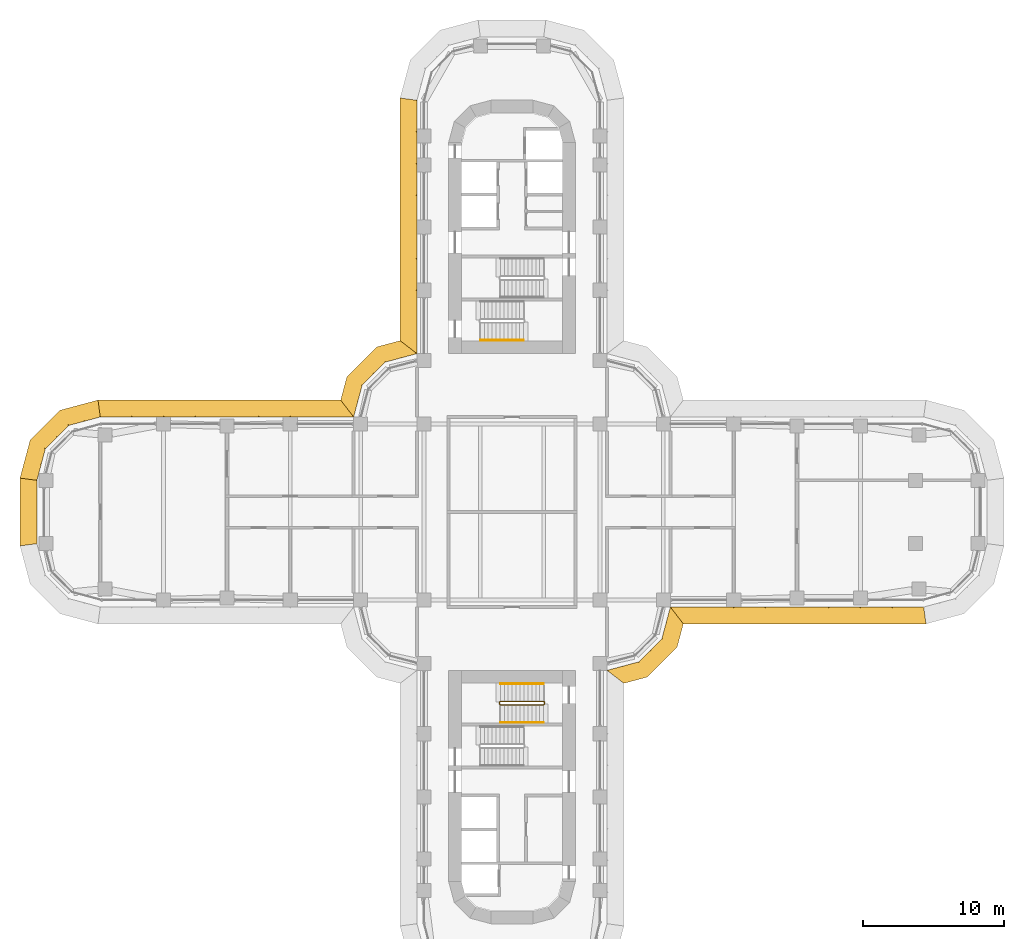
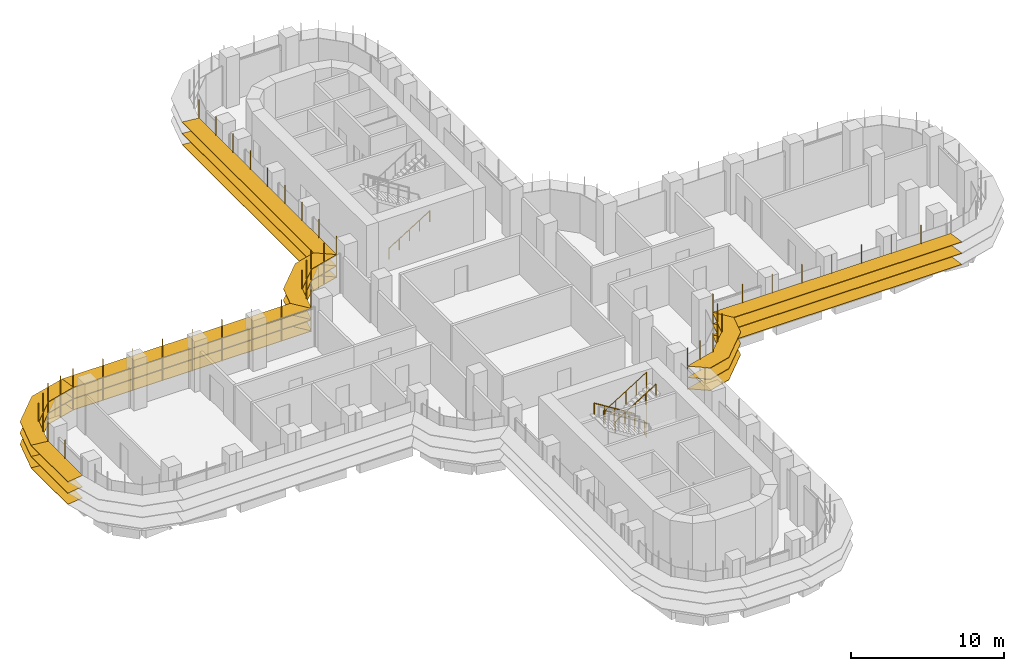
# One storey, part 21 of 23: 7 shading devices, 4 railings.
"""IFC4 building model written with IfcOpenShell, lengths in metres."""

from ifc_helpers import new_model, si_unit, direction, frame, origin, origin_2d, place, context, subcontext, project, spatial, polyline, circle, outline, extrude, faceted_brep, source, transform, mapped, material, type_object, element, save


model = new_model("IFC4")

# Units and contexts
model_context = context("Model", 3, precision=1e-05, world=origin(), true_north=direction((0.0, 1.0)))
body_context = subcontext(model_context, "Body", "Model", "MODEL_VIEW")
ifc_project = project(units=[si_unit("LENGTHUNIT", "METRE"), si_unit("AREAUNIT", "SQUARE_METRE"), si_unit("VOLUMEUNIT", "CUBIC_METRE"), si_unit("PLANEANGLEUNIT", "RADIAN"), si_unit("MASSUNIT", "GRAM", prefix="KILO")], contexts=[model_context])

# Site, building, storey
site_placement = place(None, origin())
site = spatial("IfcSite", under=ifc_project, at=site_placement, CompositionType="ELEMENT")
building_placement = place(site_placement, origin())
building = spatial("IfcBuilding", under=site, at=building_placement, Name="Zarbagh Exchange Tower", CompositionType="ELEMENT")
storey_placement = place(building_placement, frame((0.0, 0.0, 52.199951171875)))
storey = spatial("IfcBuildingStorey", under=building, at=storey_placement, Name="L11", CompositionType="ELEMENT", Elevation=52.199951171875)

# Railings
ifc_material_1 = material(Name="Stainless steel", Category="steel")
railing_type_1 = type_object("IfcRailingType", Name="Stair guard 1100 mm", PredefinedType="GUARDRAIL", material=ifc_material_1)
railing_1_placement = place(storey_placement, frame((-0.8798828125, -13.5, 2.10009765625)))
element("IfcRailing", 1, at=railing_1_placement, inside=storey, type_object=railing_type_1, Name="ST4 stair guard 1", PredefinedType="GUARDRAIL", context=body_context, shape_type="SweptSolid", body=[
    extrude(circle(Radius=0.02392578125, at=origin_2d()), frame((0.0, 0.0, 1.076171875), z_axis=(0.0, -1.0, 0.0), x_axis=(1.0, 0.0, 0.0)), (0.0, 0.0, 1.0), 0.14990234375),
    extrude(circle(Radius=0.02392578125, at=origin_2d()), frame((0.0, -0.14990234375, 1.076171875), z_axis=(0.263862480399, -0.265155923931, 0.927399011991), x_axis=(0.708833529934, 0.705375805398, 0.0)), (0.0, 0.0, 1.0), 0.188720703125),
    extrude(circle(Radius=0.02392578125, at=origin_2d()), frame((0.0498046875, -0.199951171875, 1.2509765625), z_axis=(0.848028513186, 0.0, 0.529950602248), x_axis=(0.0, 1.0, 0.0)), (0.0, 0.0, 1.0), 3.632080078125),
    extrude(circle(Radius=0.02392578125, at=origin_2d()), frame((3.1298828125, -0.199951171875, 3.17578125), z_axis=(0.011914834358, 0.011914834358, -0.999858026644), x_axis=(-0.707106781187, 0.707106781187, 0.0)), (0.0, 0.0, 1.0), 4.200439453125),
    extrude(circle(Radius=0.02392578125, at=origin_2d()), frame((3.179931640625, -0.14990234375, -1.02392578125), z_axis=(0.0, 1.0, 0.0), x_axis=(-1.0, 0.0, 0.0)), (0.0, 0.0, 1.0), 0.14990234375),
    extrude(circle(Radius=0.02392578125, at=origin_2d()), frame((3.179931640625, 0.0, -1.02392578125), z_axis=(-0.265065253269, 0.265065253269, 0.927081885822), x_axis=(-0.707106781187, -0.707106781187, 0.0)), (0.0, 0.0, 1.0), 0.188720703125),
    extrude(circle(Radius=0.02392578125, at=origin_2d()), frame((3.1298828125, 0.050048828125, -0.84912109375), z_axis=(-0.847998304005, 0.0, 0.529998940003), x_axis=(0.0, -1.0, 0.0)), (0.0, 0.0, 1.0), 3.632080078125),
    extrude(circle(Radius=0.02099609375, at=origin_2d()), origin(), (0.0, 0.0, 1.0), 1.052001953125),
    extrude(circle(Radius=0.02099609375, at=origin_2d()), frame((0.0, -0.14990234375, 0.0)), (0.0, 0.0, 1.0), 1.052001953125),
    extrude(circle(Radius=0.02099609375, at=origin_2d()), frame((0.0498046875, -0.199951171875, 0.175048828125)), (0.0, 0.0, 1.0), 1.052001953125),
    extrude(circle(Radius=0.02099609375, at=origin_2d()), frame((0.81982421875, -0.199951171875, 0.65625)), (0.0, 0.0, 1.0), 1.052001953125),
    extrude(circle(Radius=0.02099609375, at=origin_2d()), frame((1.58984375, -0.199951171875, 1.137451171875)), (0.0, 0.0, 1.0), 1.052001953125),
    extrude(circle(Radius=0.02099609375, at=origin_2d()), frame((2.35986328125, -0.199951171875, 1.61865234375)), (0.0, 0.0, 1.0), 1.052001953125),
    extrude(circle(Radius=0.02099609375, at=origin_2d()), frame((3.1298828125, -0.199951171875, 2.099853515625)), (0.0, 0.0, 1.0), 1.052001953125),
    extrude(circle(Radius=0.02099609375, at=origin_2d()), frame((3.142333984375, -0.1875, 1.0498046875)), (0.0, 0.0, 1.0), 1.052001953125),
    extrude(circle(Radius=0.02099609375, at=origin_2d()), frame((3.15478515625, -0.1748046875, 0.0)), (0.0, 0.0, 1.0), 1.052001953125),
    extrude(circle(Radius=0.02099609375, at=origin_2d()), frame((3.16748046875, -0.162353515625, -1.050048828125)), (0.0, 0.0, 1.0), 1.052001953125),
    extrude(circle(Radius=0.02099609375, at=origin_2d()), frame((3.179931640625, -0.14990234375, -2.10009765625)), (0.0, 0.0, 1.0), 1.052001953125),
    extrude(circle(Radius=0.02099609375, at=origin_2d()), frame((3.179931640625, 0.0, -2.10009765625)), (0.0, 0.0, 1.0), 1.052001953125),
    extrude(circle(Radius=0.02099609375, at=origin_2d()), frame((3.1298828125, 0.050048828125, -1.925048828125)), (0.0, 0.0, 1.0), 1.052001953125),
    extrude(circle(Radius=0.02099609375, at=origin_2d()), frame((2.35986328125, 0.050048828125, -1.44384765625)), (0.0, 0.0, 1.0), 1.052001953125),
    extrude(circle(Radius=0.02099609375, at=origin_2d()), frame((1.58984375, 0.050048828125, -0.96240234375)), (0.0, 0.0, 1.0), 1.052001953125),
    extrude(circle(Radius=0.02099609375, at=origin_2d()), frame((0.81982421875, 0.050048828125, -0.481201171875)), (0.0, 0.0, 1.0), 1.052001953125),
    extrude(circle(Radius=0.02099609375, at=origin_2d()), frame((0.0498046875, 0.050048828125, 0.0)), (0.0, 0.0, 1.0), 1.052001953125),
])
railing_type_2 = type_object("IfcRailingType", Name="Stair handrail 900 mm", PredefinedType="HANDRAIL", material=ifc_material_1)
railing_2_placement = place(storey_placement, frame((-2.25, 12.199951171875, 0.175048828125)))
element("IfcRailing", 2, at=railing_2_placement, inside=storey, type_object=railing_type_2, Name="ST2 stair handrail 1", PredefinedType="HANDRAIL", context=body_context, shape_type="SweptSolid", body=[
    extrude(circle(Radius=0.02392578125, at=origin_2d()), frame((0.0, 0.0, 0.8759765625), z_axis=(0.847998304005, 0.0, 0.529998940003), x_axis=(0.0, 1.0, 0.0)), (0.0, 0.0, 1.0), 3.632080078125),
    extrude(circle(Radius=0.02099609375, at=origin_2d()), origin(), (0.0, 0.0, 1.0), 0.851806640625),
    extrude(circle(Radius=0.02099609375, at=origin_2d()), frame((0.77001953125, 0.0, 0.481201171875)), (0.0, 0.0, 1.0), 0.851806640625),
    extrude(circle(Radius=0.02099609375, at=origin_2d()), frame((1.5400390625, 0.0, 0.96240234375)), (0.0, 0.0, 1.0), 0.851806640625),
    extrude(circle(Radius=0.02099609375, at=origin_2d()), frame((2.31005859375, 0.0, 1.44384765625)), (0.0, 0.0, 1.0), 0.851806640625),
    extrude(circle(Radius=0.02099609375, at=origin_2d()), frame((3.080078125, 0.0, 1.925048828125)), (0.0, 0.0, 1.0), 0.851806640625),
])
railing_3_placement = place(storey_placement, frame((2.25, -12.199951171875, 0.175048828125)))
element("IfcRailing", 3, at=railing_3_placement, inside=storey, type_object=railing_type_2, Name="ST4 stair handrail 1", PredefinedType="HANDRAIL", context=body_context, shape_type="SweptSolid", body=[
    extrude(circle(Radius=0.02392578125, at=origin_2d()), frame((0.0, 0.0, 0.8759765625), z_axis=(-0.847998304005, 0.0, 0.529998940003), x_axis=(0.0, -1.0, 0.0)), (0.0, 0.0, 1.0), 3.632080078125),
    extrude(circle(Radius=0.02099609375, at=origin_2d()), origin(), (0.0, 0.0, 1.0), 0.851806640625),
    extrude(circle(Radius=0.02099609375, at=origin_2d()), frame((-0.77001953125, 0.0, 0.481201171875)), (0.0, 0.0, 1.0), 0.851806640625),
    extrude(circle(Radius=0.02099609375, at=origin_2d()), frame((-1.5400390625, 0.0, 0.96240234375)), (0.0, 0.0, 1.0), 0.851806640625),
    extrude(circle(Radius=0.02099609375, at=origin_2d()), frame((-2.31005859375, 0.0, 1.44384765625)), (0.0, 0.0, 1.0), 0.851806640625),
    extrude(circle(Radius=0.02099609375, at=origin_2d()), frame((-3.080078125, 0.0, 1.925048828125)), (0.0, 0.0, 1.0), 0.851806640625),
])
railing_4_placement = place(storey_placement, frame((-0.830078125, -14.949951171875, 2.275146484375)))
element("IfcRailing", 4, at=railing_4_placement, inside=storey, type_object=railing_type_2, Name="ST4 stair handrail 2", PredefinedType="HANDRAIL", context=body_context, shape_type="SweptSolid", body=[
    extrude(circle(Radius=0.02392578125, at=origin_2d()), frame((0.0, 0.0, 0.8759765625), z_axis=(0.848028513186, 0.0, 0.529950602248), x_axis=(0.0, 1.0, 0.0)), (0.0, 0.0, 1.0), 3.632080078125),
    extrude(circle(Radius=0.02099609375, at=origin_2d()), origin(), (0.0, 0.0, 1.0), 0.851806640625),
    extrude(circle(Radius=0.02099609375, at=origin_2d()), frame((0.77001953125, 0.0, 0.481201171875)), (0.0, 0.0, 1.0), 0.851806640625),
    extrude(circle(Radius=0.02099609375, at=origin_2d()), frame((1.5400390625, 0.0, 0.96240234375)), (0.0, 0.0, 1.0), 0.851806640625),
    extrude(circle(Radius=0.02099609375, at=origin_2d()), frame((2.31005859375, 0.0, 1.443603515625)), (0.0, 0.0, 1.0), 0.851806640625),
    extrude(circle(Radius=0.02099609375, at=origin_2d()), frame((3.080078125, 0.0, 1.9248046875)), (0.0, 0.0, 1.0), 0.851806640625),
])

# Shading devices
ifc_material_2 = material(Name="Anodised aluminium blades and brackets", Category="aluminium")
shading_device_type = type_object("IfcShadingDeviceType", Name="SUNSHADE louvre band, 0 degree blades", PredefinedType="JALOUSIE", material=ifc_material_2)
shared_shape_1 = source(origin(), body_context, "Body", "Brep", [
    faceted_brep([(0.0, 0.0, 0.0), (0.0, 0.0, -0.0400390625), (-0.157958984375, -1.199951171875, -0.0400390625), (-0.157958984375, -1.199951171875, 0.0), (2.65087890625, -1.199951171875, 0.0), (2.65087890625, -1.199951171875, -0.0400390625), (2.329345703125, 0.0, -0.0400390625), (2.329345703125, 0.0, 0.0)], [[[0, 1, 2, 3]], [[4, 5, 6, 7]], [[0, 7, 6, 1]], [[1, 6, 5, 2]], [[2, 5, 4, 3]], [[3, 4, 7, 0]]]),
])
shared_shape_2 = source(origin(), body_context, "Body", "Brep", [
    faceted_brep([(0.0, 0.0, 0.0), (0.0, 0.0, -0.0400390625), (-0.321533203125, -1.199951171875, -0.0400390625), (-0.321533203125, -1.199951171875, 0.0), (2.65087890625, -1.199951171875, 0.0), (2.65087890625, -1.199951171875, -0.0400390625), (2.329345703125, 0.0, -0.0400390625), (2.329345703125, 0.0, 0.0)], [[[0, 1, 2, 3]], [[4, 5, 6, 7]], [[0, 7, 6, 1]], [[1, 6, 5, 2]], [[2, 5, 4, 3]], [[3, 4, 7, 0]]]),
])
shared_shape_3 = source(origin(), body_context, "Body", "Brep", [
    faceted_brep([(0.0, 0.0, 0.0), (0.0, 0.0, -0.0400390625), (-0.321533203125, -1.199951171875, -0.0400390625), (-0.321533203125, -1.199951171875, 0.0), (2.4873046875, -1.199951171875, 0.0), (2.4873046875, -1.199951171875, -0.0400390625), (2.329345703125, 0.0, -0.0400390625), (2.329345703125, 0.0, 0.0)], [[[0, 1, 2, 3]], [[4, 5, 6, 7]], [[0, 7, 6, 1]], [[1, 6, 5, 2]], [[2, 5, 4, 3]], [[3, 4, 7, 0]]]),
])
shared_shape_4 = source(origin(), body_context, "Body", "SweptSolid", [
    extrude(outline(polyline([(0.0, -0.012451171875), (0.06005859375, -0.012451171875), (0.06005859375, 0.012451171875), (0.0, 0.012451171875), (0.0, -0.012451171875)])), origin(), (0.0, 0.0, 1.0), 3.35009765625),
])
placement = place(storey_placement, origin())
element("IfcShadingDevice", 5, at=placement, inside=storey, type_object=shading_device_type, Name="SS17 sunshade band", PredefinedType="JALOUSIE", context=body_context, shape_type="MappedRepresentation", body=[
    mapped(shared_shape_1, transform((-29.25, 6.75, 2.699951171875), x_axis=(-0.965924289636, -0.258824779902, 0.0), y_axis=(0.258824779902, -0.965924289636, 0.0), z_axis=(0.0, 0.0, 1.0))),
    mapped(shared_shape_1, transform((-29.25, 6.75, 1.800048828125), x_axis=(-0.965924289636, -0.258824779902, 0.0), y_axis=(0.258824779902, -0.965924289636, 0.0), z_axis=(0.0, 0.0, 1.0))),
    mapped(shared_shape_1, transform((-29.25, 6.75, 0.900146484375), x_axis=(-0.965924289636, -0.258824779902, 0.0), y_axis=(0.258824779902, -0.965924289636, 0.0), z_axis=(0.0, 0.0, 1.0))),
    mapped(shared_shape_2, transform((-31.5, 6.147216796875, 2.699951171875), x_axis=(-0.707106781187, -0.707106781187, 0.0), y_axis=(0.707106781187, -0.707106781187, 0.0), z_axis=(0.0, 0.0, 1.0))),
    mapped(shared_shape_2, transform((-31.5, 6.147216796875, 1.800048828125), x_axis=(-0.707106781187, -0.707106781187, 0.0), y_axis=(0.707106781187, -0.707106781187, 0.0), z_axis=(0.0, 0.0, 1.0))),
    mapped(shared_shape_2, transform((-31.5, 6.147216796875, 0.900146484375), x_axis=(-0.707106781187, -0.707106781187, 0.0), y_axis=(0.707106781187, -0.707106781187, 0.0), z_axis=(0.0, 0.0, 1.0))),
    mapped(shared_shape_3, transform((-33.147216796875, 4.5, 2.699951171875), x_axis=(-0.258824779902, -0.965924289636, 0.0), y_axis=(0.965924289636, -0.258824779902, 0.0), z_axis=(0.0, 0.0, 1.0))),
    mapped(shared_shape_3, transform((-33.147216796875, 4.5, 1.800048828125), x_axis=(-0.258824779902, -0.965924289636, 0.0), y_axis=(0.965924289636, -0.258824779902, 0.0), z_axis=(0.0, 0.0, 1.0))),
    mapped(shared_shape_3, transform((-33.147216796875, 4.5, 0.900146484375), x_axis=(-0.258824779902, -0.965924289636, 0.0), y_axis=(0.965924289636, -0.258824779902, 0.0), z_axis=(0.0, 0.0, 1.0))),
    mapped(shared_shape_4, transform((-29.25, 6.75, 0.830078125), x_axis=(-0.130529263012, 0.991444457092, 0.0), y_axis=(-0.991444457092, -0.130529263012, 0.0), z_axis=(0.0, 0.0, 1.0))),
    mapped(shared_shape_4, transform((-30.375, 6.448486328125, 0.830078125), x_axis=(-0.258825058029, 0.96592421511, 0.0), y_axis=(-0.96592421511, -0.258825058029, 0.0), z_axis=(0.0, 0.0, 1.0))),
    mapped(shared_shape_4, transform((-31.5, 6.147216796875, 0.830078125), x_axis=(-0.50000275701, 0.866023812018, 0.0), y_axis=(-0.866023812018, -0.50000275701, 0.0), z_axis=(0.0, 0.0, 1.0))),
    mapped(shared_shape_4, transform((-32.323486328125, 5.323486328125, 0.830078125), x_axis=(-0.707106781187, 0.707106781187, 0.0), y_axis=(-0.707106781187, -0.707106781187, 0.0), z_axis=(0.0, 0.0, 1.0))),
    mapped(shared_shape_4, transform((-33.147216796875, 4.5, 0.830078125), x_axis=(-0.866023812018, 0.50000275701, 0.0), y_axis=(-0.50000275701, -0.866023812018, 0.0), z_axis=(0.0, 0.0, 1.0))),
    mapped(shared_shape_4, transform((-33.448486328125, 3.375, 0.830078125), x_axis=(-0.96592421511, 0.258825058029, 0.0), y_axis=(-0.258825058029, -0.96592421511, 0.0), z_axis=(0.0, 0.0, 1.0))),
])
shared_shape_5 = source(origin(), body_context, "Body", "Brep", [
    faceted_brep([(0.0, 0.0, 0.0), (0.0, 0.0, -0.0400390625), (0.9208984375, -1.199951171875, -0.0400390625), (0.9208984375, -1.199951171875, 0.0), (2.65087890625, -1.199951171875, 0.0), (2.65087890625, -1.199951171875, -0.0400390625), (2.329345703125, 0.0, -0.0400390625), (2.329345703125, 0.0, 0.0)], [[[0, 1, 2, 3]], [[4, 5, 6, 7]], [[0, 7, 6, 1]], [[1, 6, 5, 2]], [[2, 5, 4, 3]], [[3, 4, 7, 0]]]),
])
shared_shape_6 = source(origin(), body_context, "Body", "Brep", [
    faceted_brep([(0.0, 0.0, 0.0), (0.0, 0.0, -0.0400390625), (-0.321533203125, -1.199951171875, -0.0400390625), (-0.321533203125, -1.199951171875, 0.0), (1.40869140625, -1.199951171875, 0.0), (1.40869140625, -1.199951171875, -0.0400390625), (2.329345703125, 0.0, -0.0400390625), (2.329345703125, 0.0, 0.0)], [[[0, 1, 2, 3]], [[4, 5, 6, 7]], [[0, 7, 6, 1]], [[1, 6, 5, 2]], [[2, 5, 4, 3]], [[3, 4, 7, 0]]]),
])
element("IfcShadingDevice", 6, at=placement, inside=storey, type_object=shading_device_type, Name="SS03 sunshade band", PredefinedType="JALOUSIE", context=body_context, shape_type="MappedRepresentation", body=[
    mapped(shared_shape_5, transform((6.75, -11.25, 2.699951171875), x_axis=(0.965924289636, 0.258824779902, 0.0), y_axis=(-0.258824779902, 0.965924289636, 0.0), z_axis=(0.0, 0.0, 1.0))),
    mapped(shared_shape_5, transform((6.75, -11.25, 1.800048828125), x_axis=(0.965924289636, 0.258824779902, 0.0), y_axis=(-0.258824779902, 0.965924289636, 0.0), z_axis=(0.0, 0.0, 1.0))),
    mapped(shared_shape_5, transform((6.75, -11.25, 0.900146484375), x_axis=(0.965924289636, 0.258824779902, 0.0), y_axis=(-0.258824779902, 0.965924289636, 0.0), z_axis=(0.0, 0.0, 1.0))),
    mapped(shared_shape_2, transform((9.0, -10.647216796875, 2.699951171875), x_axis=(0.707106781187, 0.707106781187, 0.0), y_axis=(-0.707106781187, 0.707106781187, 0.0), z_axis=(0.0, 0.0, 1.0))),
    mapped(shared_shape_2, transform((9.0, -10.647216796875, 1.800048828125), x_axis=(0.707106781187, 0.707106781187, 0.0), y_axis=(-0.707106781187, 0.707106781187, 0.0), z_axis=(0.0, 0.0, 1.0))),
    mapped(shared_shape_2, transform((9.0, -10.647216796875, 0.900146484375), x_axis=(0.707106781187, 0.707106781187, 0.0), y_axis=(-0.707106781187, 0.707106781187, 0.0), z_axis=(0.0, 0.0, 1.0))),
    mapped(shared_shape_6, transform((10.647216796875, -9.0, 2.699951171875), x_axis=(0.258824779902, 0.965924289636, 0.0), y_axis=(-0.965924289636, 0.258824779902, 0.0), z_axis=(0.0, 0.0, 1.0))),
    mapped(shared_shape_6, transform((10.647216796875, -9.0, 1.800048828125), x_axis=(0.258824779902, 0.965924289636, 0.0), y_axis=(-0.965924289636, 0.258824779902, 0.0), z_axis=(0.0, 0.0, 1.0))),
    mapped(shared_shape_6, transform((10.647216796875, -9.0, 0.900146484375), x_axis=(0.258824779902, 0.965924289636, 0.0), y_axis=(-0.965924289636, 0.258824779902, 0.0), z_axis=(0.0, 0.0, 1.0))),
    mapped(shared_shape_4, transform((6.75, -11.25, 0.830078125), x_axis=(0.793355287, -0.608758892, 0.0), y_axis=(0.608758892, 0.793355287, 0.0), z_axis=(0.0, 0.0, 1.0))),
    mapped(shared_shape_4, transform((7.875, -10.948486328125, 0.830078125), x_axis=(0.258825058029, -0.96592421511, 0.0), y_axis=(0.96592421511, 0.258825058029, 0.0), z_axis=(0.0, 0.0, 1.0))),
    mapped(shared_shape_4, transform((9.0, -10.647216796875, 0.830078125), x_axis=(0.50000275701, -0.866023812018, 0.0), y_axis=(0.866023812018, 0.50000275701, 0.0), z_axis=(0.0, 0.0, 1.0))),
    mapped(shared_shape_4, transform((9.823486328125, -9.823486328125, 0.830078125), x_axis=(0.707106781187, -0.707106781187, 0.0), y_axis=(0.707106781187, 0.707106781187, 0.0), z_axis=(0.0, 0.0, 1.0))),
    mapped(shared_shape_4, transform((10.647216796875, -9.0, 0.830078125), x_axis=(0.866023812018, -0.50000275701, 0.0), y_axis=(0.50000275701, 0.866023812018, 0.0), z_axis=(0.0, 0.0, 1.0))),
    mapped(shared_shape_4, transform((10.948486328125, -7.875, 0.830078125), x_axis=(0.96592421511, -0.258825058029, 0.0), y_axis=(0.258825058029, 0.96592421511, 0.0), z_axis=(0.0, 0.0, 1.0))),
])
element("IfcShadingDevice", 7, at=placement, inside=storey, type_object=shading_device_type, Name="SS15 sunshade band", PredefinedType="JALOUSIE", context=body_context, shape_type="MappedRepresentation", body=[
    mapped(shared_shape_5, transform((-6.75, 11.25, 2.699951171875), x_axis=(-0.965924289636, -0.258824779902, 0.0), y_axis=(0.258824779902, -0.965924289636, 0.0), z_axis=(0.0, 0.0, 1.0))),
    mapped(shared_shape_5, transform((-6.75, 11.25, 1.800048828125), x_axis=(-0.965924289636, -0.258824779902, 0.0), y_axis=(0.258824779902, -0.965924289636, 0.0), z_axis=(0.0, 0.0, 1.0))),
    mapped(shared_shape_5, transform((-6.75, 11.25, 0.900146484375), x_axis=(-0.965924289636, -0.258824779902, 0.0), y_axis=(0.258824779902, -0.965924289636, 0.0), z_axis=(0.0, 0.0, 1.0))),
    mapped(shared_shape_2, transform((-9.0, 10.647216796875, 2.699951171875), x_axis=(-0.707106781187, -0.707106781187, 0.0), y_axis=(0.707106781187, -0.707106781187, 0.0), z_axis=(0.0, 0.0, 1.0))),
    mapped(shared_shape_2, transform((-9.0, 10.647216796875, 1.800048828125), x_axis=(-0.707106781187, -0.707106781187, 0.0), y_axis=(0.707106781187, -0.707106781187, 0.0), z_axis=(0.0, 0.0, 1.0))),
    mapped(shared_shape_2, transform((-9.0, 10.647216796875, 0.900146484375), x_axis=(-0.707106781187, -0.707106781187, 0.0), y_axis=(0.707106781187, -0.707106781187, 0.0), z_axis=(0.0, 0.0, 1.0))),
    mapped(shared_shape_6, transform((-10.647216796875, 9.0, 2.699951171875), x_axis=(-0.258824779902, -0.965924289636, 0.0), y_axis=(0.965924289636, -0.258824779902, 0.0), z_axis=(0.0, 0.0, 1.0))),
    mapped(shared_shape_6, transform((-10.647216796875, 9.0, 1.800048828125), x_axis=(-0.258824779902, -0.965924289636, 0.0), y_axis=(0.965924289636, -0.258824779902, 0.0), z_axis=(0.0, 0.0, 1.0))),
    mapped(shared_shape_6, transform((-10.647216796875, 9.0, 0.900146484375), x_axis=(-0.258824779902, -0.965924289636, 0.0), y_axis=(0.965924289636, -0.258824779902, 0.0), z_axis=(0.0, 0.0, 1.0))),
    mapped(shared_shape_4, transform((-6.75, 11.25, 0.830078125), x_axis=(-0.793355287, 0.608758892, 0.0), y_axis=(-0.608758892, -0.793355287, 0.0), z_axis=(0.0, 0.0, 1.0))),
    mapped(shared_shape_4, transform((-7.875, 10.948486328125, 0.830078125), x_axis=(-0.258825058029, 0.96592421511, 0.0), y_axis=(-0.96592421511, -0.258825058029, 0.0), z_axis=(0.0, 0.0, 1.0))),
    mapped(shared_shape_4, transform((-9.0, 10.647216796875, 0.830078125), x_axis=(-0.50000275701, 0.866023812018, 0.0), y_axis=(-0.866023812018, -0.50000275701, 0.0), z_axis=(0.0, 0.0, 1.0))),
    mapped(shared_shape_4, transform((-9.823486328125, 9.823486328125, 0.830078125), x_axis=(-0.707106781187, 0.707106781187, 0.0), y_axis=(-0.707106781187, -0.707106781187, 0.0), z_axis=(0.0, 0.0, 1.0))),
    mapped(shared_shape_4, transform((-10.647216796875, 9.0, 0.830078125), x_axis=(-0.866023812018, 0.50000275701, 0.0), y_axis=(-0.50000275701, -0.866023812018, 0.0), z_axis=(0.0, 0.0, 1.0))),
    mapped(shared_shape_4, transform((-10.948486328125, 7.875, 0.830078125), x_axis=(-0.96592421511, 0.258825058029, 0.0), y_axis=(-0.258825058029, -0.96592421511, 0.0), z_axis=(0.0, 0.0, 1.0))),
])
shared_shape_7 = source(origin(), body_context, "Body", "Brep", [
    faceted_brep([(0.0, 0.0, 0.0), (0.0, 0.0, -0.0400390625), (0.9208984375, -1.199951171875, -0.0400390625), (0.9208984375, -1.199951171875, 0.0), (18.157958984375, -1.199951171875, 0.0), (18.157958984375, -1.199951171875, -0.0400390625), (18.0, 0.0, -0.0400390625), (18.0, 0.0, 0.0)], [[[0, 1, 2, 3]], [[4, 5, 6, 7]], [[0, 7, 6, 1]], [[1, 6, 5, 2]], [[2, 5, 4, 3]], [[3, 4, 7, 0]]]),
])
element("IfcShadingDevice", 8, at=placement, inside=storey, type_object=shading_device_type, Name="SS04 sunshade band", PredefinedType="JALOUSIE", context=body_context, shape_type="MappedRepresentation", body=[
    mapped(shared_shape_7, transform((11.25, -6.75, 2.699951171875), x_axis=(1.0, 0.0, 0.0), y_axis=(0.0, 1.0, 0.0), z_axis=(0.0, 0.0, 1.0))),
    mapped(shared_shape_7, transform((11.25, -6.75, 1.800048828125), x_axis=(1.0, 0.0, 0.0), y_axis=(0.0, 1.0, 0.0), z_axis=(0.0, 0.0, 1.0))),
    mapped(shared_shape_7, transform((11.25, -6.75, 0.900146484375), x_axis=(1.0, 0.0, 0.0), y_axis=(0.0, 1.0, 0.0), z_axis=(0.0, 0.0, 1.0))),
    mapped(shared_shape_4, transform((11.25, -6.75, 0.830078125), x_axis=(0.608758892, -0.793355287, 0.0), y_axis=(0.793355287, 0.608758892, 0.0), z_axis=(0.0, 0.0, 1.0))),
    mapped(shared_shape_4, transform((13.5, -6.75, 0.830078125), x_axis=(0.0, -1.0, 0.0), y_axis=(1.0, 0.0, 0.0), z_axis=(0.0, 0.0, 1.0))),
    mapped(shared_shape_4, transform((15.75, -6.75, 0.830078125), x_axis=(0.0, -1.0, 0.0), y_axis=(1.0, 0.0, 0.0), z_axis=(0.0, 0.0, 1.0))),
    mapped(shared_shape_4, transform((18.0, -6.75, 0.830078125), x_axis=(0.0, -1.0, 0.0), y_axis=(1.0, 0.0, 0.0), z_axis=(0.0, 0.0, 1.0))),
    mapped(shared_shape_4, transform((20.25, -6.75, 0.830078125), x_axis=(0.0, -1.0, 0.0), y_axis=(1.0, 0.0, 0.0), z_axis=(0.0, 0.0, 1.0))),
    mapped(shared_shape_4, transform((22.5, -6.75, 0.830078125), x_axis=(0.0, -1.0, 0.0), y_axis=(1.0, 0.0, 0.0), z_axis=(0.0, 0.0, 1.0))),
    mapped(shared_shape_4, transform((24.75, -6.75, 0.830078125), x_axis=(0.0, -1.0, 0.0), y_axis=(1.0, 0.0, 0.0), z_axis=(0.0, 0.0, 1.0))),
    mapped(shared_shape_4, transform((27.0, -6.75, 0.830078125), x_axis=(0.0, -1.0, 0.0), y_axis=(1.0, 0.0, 0.0), z_axis=(0.0, 0.0, 1.0))),
])
shared_shape_8 = source(origin(), body_context, "Body", "Brep", [
    faceted_brep([(0.0, 0.0, 0.0), (0.0, 0.0, -0.0400390625), (-0.157958984375, -1.199951171875, -0.0400390625), (-0.157958984375, -1.199951171875, 0.0), (17.0791015625, -1.199951171875, 0.0), (17.0791015625, -1.199951171875, -0.0400390625), (18.0, 0.0, -0.0400390625), (18.0, 0.0, 0.0)], [[[0, 1, 2, 3]], [[4, 5, 6, 7]], [[0, 7, 6, 1]], [[1, 6, 5, 2]], [[2, 5, 4, 3]], [[3, 4, 7, 0]]]),
])
element("IfcShadingDevice", 9, at=placement, inside=storey, type_object=shading_device_type, Name="SS14 sunshade band", PredefinedType="JALOUSIE", context=body_context, shape_type="MappedRepresentation", body=[
    mapped(shared_shape_8, transform((-6.75, 29.25, 2.699951171875), x_axis=(0.0, -1.0, 0.0), y_axis=(1.0, 0.0, 0.0), z_axis=(0.0, 0.0, 1.0))),
    mapped(shared_shape_8, transform((-6.75, 29.25, 1.800048828125), x_axis=(0.0, -1.0, 0.0), y_axis=(1.0, 0.0, 0.0), z_axis=(0.0, 0.0, 1.0))),
    mapped(shared_shape_8, transform((-6.75, 29.25, 0.900146484375), x_axis=(0.0, -1.0, 0.0), y_axis=(1.0, 0.0, 0.0), z_axis=(0.0, 0.0, 1.0))),
    mapped(shared_shape_4, transform((-6.75, 29.25, 0.830078125), x_axis=(-0.991444457092, 0.130529263012, 0.0), y_axis=(-0.130529263012, -0.991444457092, 0.0), z_axis=(0.0, 0.0, 1.0))),
    mapped(shared_shape_4, transform((-6.75, 27.0, 0.830078125), x_axis=(-1.0, 0.0, 0.0), y_axis=(0.0, -1.0, 0.0), z_axis=(0.0, 0.0, 1.0))),
    mapped(shared_shape_4, transform((-6.75, 24.75, 0.830078125), x_axis=(-1.0, 0.0, 0.0), y_axis=(0.0, -1.0, 0.0), z_axis=(0.0, 0.0, 1.0))),
    mapped(shared_shape_4, transform((-6.75, 22.5, 0.830078125), x_axis=(-1.0, 0.0, 0.0), y_axis=(0.0, -1.0, 0.0), z_axis=(0.0, 0.0, 1.0))),
    mapped(shared_shape_4, transform((-6.75, 20.25, 0.830078125), x_axis=(-1.0, 0.0, 0.0), y_axis=(0.0, -1.0, 0.0), z_axis=(0.0, 0.0, 1.0))),
    mapped(shared_shape_4, transform((-6.75, 18.0, 0.830078125), x_axis=(-1.0, 0.0, 0.0), y_axis=(0.0, -1.0, 0.0), z_axis=(0.0, 0.0, 1.0))),
    mapped(shared_shape_4, transform((-6.75, 15.75, 0.830078125), x_axis=(-1.0, 0.0, 0.0), y_axis=(0.0, -1.0, 0.0), z_axis=(0.0, 0.0, 1.0))),
    mapped(shared_shape_4, transform((-6.75, 13.5, 0.830078125), x_axis=(-1.0, 0.0, 0.0), y_axis=(0.0, -1.0, 0.0), z_axis=(0.0, 0.0, 1.0))),
])
element("IfcShadingDevice", 10, at=placement, inside=storey, type_object=shading_device_type, Name="SS16 sunshade band", PredefinedType="JALOUSIE", context=body_context, shape_type="MappedRepresentation", body=[
    mapped(shared_shape_7, transform((-11.25, 6.75, 2.699951171875), x_axis=(-1.0, 0.0, 0.0), y_axis=(0.0, -1.0, 0.0), z_axis=(0.0, 0.0, 1.0))),
    mapped(shared_shape_7, transform((-11.25, 6.75, 1.800048828125), x_axis=(-1.0, 0.0, 0.0), y_axis=(0.0, -1.0, 0.0), z_axis=(0.0, 0.0, 1.0))),
    mapped(shared_shape_7, transform((-11.25, 6.75, 0.900146484375), x_axis=(-1.0, 0.0, 0.0), y_axis=(0.0, -1.0, 0.0), z_axis=(0.0, 0.0, 1.0))),
    mapped(shared_shape_4, transform((-11.25, 6.75, 0.830078125), x_axis=(-0.608758892, 0.793355287, 0.0), y_axis=(-0.793355287, -0.608758892, 0.0), z_axis=(0.0, 0.0, 1.0))),
    mapped(shared_shape_4, transform((-13.5, 6.75, 0.830078125), x_axis=(0.0, 1.0, 0.0), y_axis=(-1.0, 0.0, 0.0), z_axis=(0.0, 0.0, 1.0))),
    mapped(shared_shape_4, transform((-15.75, 6.75, 0.830078125), x_axis=(0.0, 1.0, 0.0), y_axis=(-1.0, 0.0, 0.0), z_axis=(0.0, 0.0, 1.0))),
    mapped(shared_shape_4, transform((-18.0, 6.75, 0.830078125), x_axis=(0.0, 1.0, 0.0), y_axis=(-1.0, 0.0, 0.0), z_axis=(0.0, 0.0, 1.0))),
    mapped(shared_shape_4, transform((-20.25, 6.75, 0.830078125), x_axis=(0.0, 1.0, 0.0), y_axis=(-1.0, 0.0, 0.0), z_axis=(0.0, 0.0, 1.0))),
    mapped(shared_shape_4, transform((-22.5, 6.75, 0.830078125), x_axis=(0.0, 1.0, 0.0), y_axis=(-1.0, 0.0, 0.0), z_axis=(0.0, 0.0, 1.0))),
    mapped(shared_shape_4, transform((-24.75, 6.75, 0.830078125), x_axis=(0.0, 1.0, 0.0), y_axis=(-1.0, 0.0, 0.0), z_axis=(0.0, 0.0, 1.0))),
    mapped(shared_shape_4, transform((-27.0, 6.75, 0.830078125), x_axis=(0.0, 1.0, 0.0), y_axis=(-1.0, 0.0, 0.0), z_axis=(0.0, 0.0, 1.0))),
])
shared_shape_9 = source(origin(), body_context, "Body", "Brep", [
    faceted_brep([(0.0, 0.0, 0.0), (0.0, 0.0, -0.0400390625), (-0.157958984375, -1.199951171875, -0.0400390625), (-0.157958984375, -1.199951171875, 0.0), (4.657958984375, -1.199951171875, 0.0), (4.657958984375, -1.199951171875, -0.0400390625), (4.5, 0.0, -0.0400390625), (4.5, 0.0, 0.0)], [[[0, 1, 2, 3]], [[4, 5, 6, 7]], [[0, 7, 6, 1]], [[1, 6, 5, 2]], [[2, 5, 4, 3]], [[3, 4, 7, 0]]]),
])
element("IfcShadingDevice", 11, at=placement, inside=storey, type_object=shading_device_type, Name="SS18 sunshade band", PredefinedType="JALOUSIE", context=body_context, shape_type="MappedRepresentation", body=[
    mapped(shared_shape_9, transform((-33.75, 2.25, 2.699951171875), x_axis=(0.0, -1.0, 0.0), y_axis=(1.0, 0.0, 0.0), z_axis=(0.0, 0.0, 1.0))),
    mapped(shared_shape_9, transform((-33.75, 2.25, 1.800048828125), x_axis=(0.0, -1.0, 0.0), y_axis=(1.0, 0.0, 0.0), z_axis=(0.0, 0.0, 1.0))),
    mapped(shared_shape_9, transform((-33.75, 2.25, 0.900146484375), x_axis=(0.0, -1.0, 0.0), y_axis=(1.0, 0.0, 0.0), z_axis=(0.0, 0.0, 1.0))),
    mapped(shared_shape_4, transform((-33.75, 2.25, 0.830078125), x_axis=(-0.991444457092, 0.130529263012, 0.0), y_axis=(-0.130529263012, -0.991444457092, 0.0), z_axis=(0.0, 0.0, 1.0))),
    mapped(shared_shape_4, transform((-33.75, 0.0, 0.830078125), x_axis=(-1.0, 0.0, 0.0), y_axis=(0.0, -1.0, 0.0), z_axis=(0.0, 0.0, 1.0))),
])

save(model, "model.ifc")
